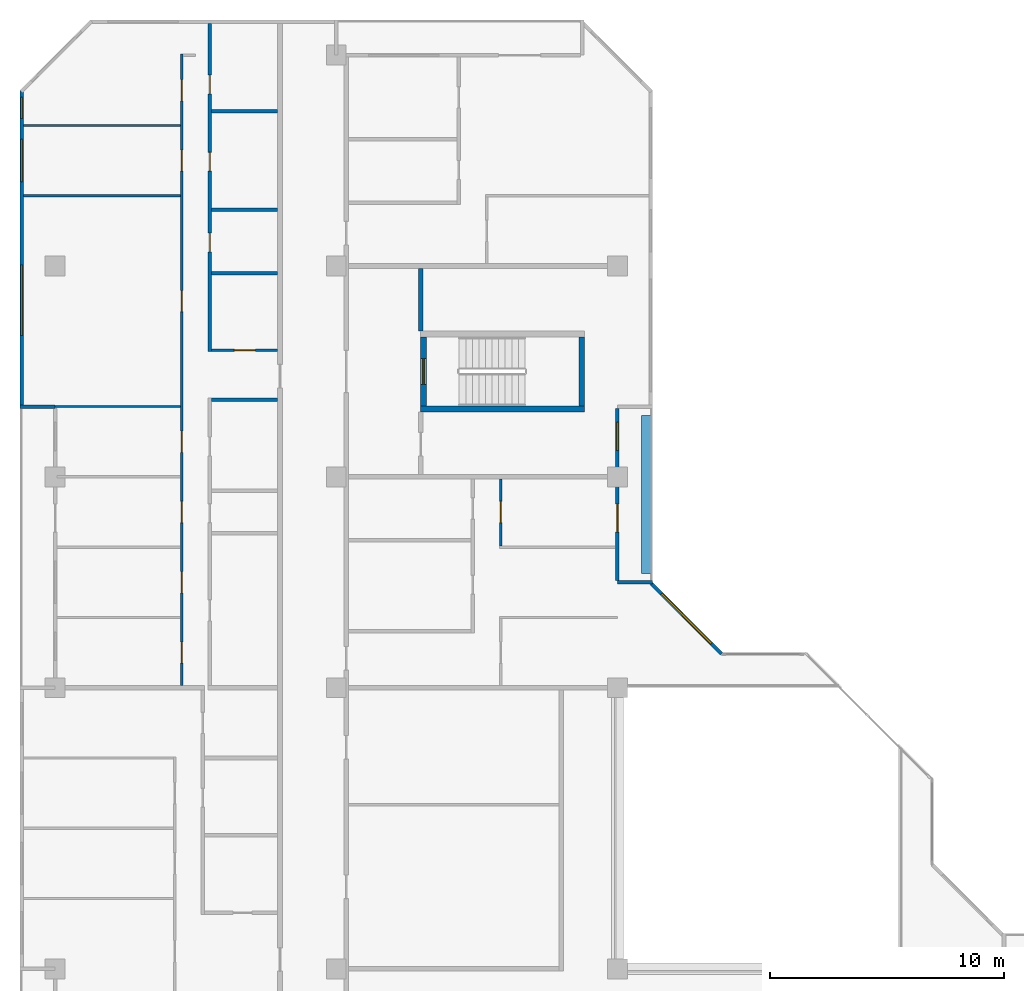
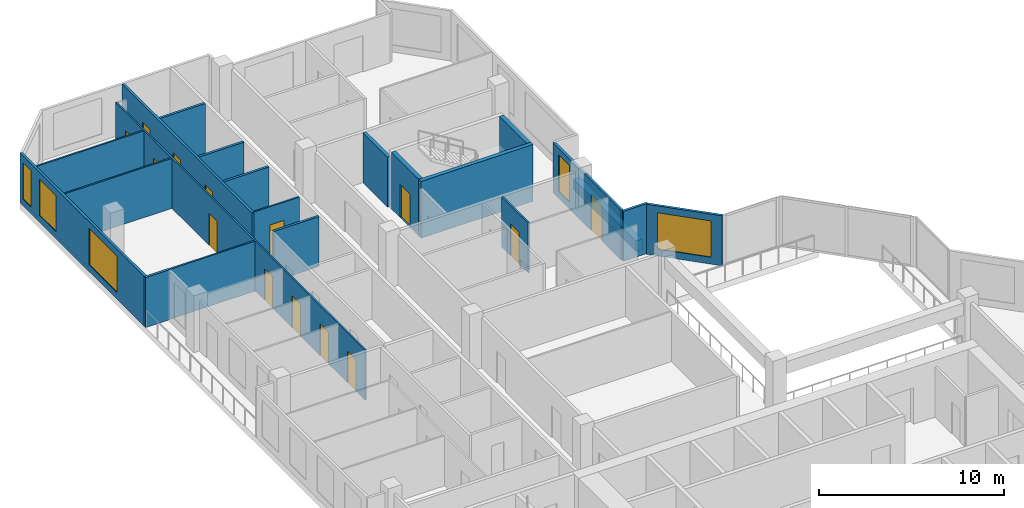
# One storey, part 10 of 15: 21 walls, 14 doors, 5 windows, 19 openings.
"""IFC4 building model written with IfcOpenShell, lengths in metres."""

from ifc_helpers import new_model, si_unit, direction, frame, frame_2d, origin, place, context, subcontext, project, spatial, rectangle, extrude, material, layer, layer_set, type_object, element, fill, save


model = new_model("IFC4")

# Units and contexts
model_context = context("Model", 3, precision=1e-05, world=origin(), true_north=direction((0.0, 1.0)))
body_context = subcontext(model_context, "Body", "Model", "MODEL_VIEW")
ifc_project = project(units=[si_unit("LENGTHUNIT", "METRE"), si_unit("AREAUNIT", "SQUARE_METRE"), si_unit("VOLUMEUNIT", "CUBIC_METRE"), si_unit("PLANEANGLEUNIT", "RADIAN"), si_unit("MASSUNIT", "GRAM", prefix="KILO")], contexts=[model_context])

# Site, building, storey
site_placement = place(None, origin())
site = spatial("IfcSite", under=ifc_project, at=site_placement, CompositionType="ELEMENT")
building_placement = place(site_placement, origin())
building = spatial("IfcBuilding", under=site, at=building_placement, Name="Chenar Terraces", CompositionType="ELEMENT")
storey_placement = place(building_placement, frame((0.0, 0.0, 252.89990234375)))
storey = spatial("IfcBuildingStorey", under=building, at=storey_placement, Name="L60", CompositionType="ELEMENT", Elevation=252.89990234375)

# Wall
ifc_material_1 = material(Name="Concrete C60/75", Category="concrete")
ifc_layer_1 = layer(ifc_material_1, 0.25)
ifc_layer_set_1 = layer_set([ifc_layer_1], Name="Concrete C60/75")
wall_type_1 = type_object("IfcWallType", Name="Core wall 250 Concrete C60/75", PredefinedType="SHEAR", material=ifc_layer_set_1)
wall_1_placement = place(storey_placement, frame((15.60009765625, 47.89990234375, 0.0), z_axis=(0.0, 0.0, 1.0), x_axis=(1.0, 0.0, 0.0)))
element("IfcWall", 1, at=wall_1_placement, inside=storey, type_object=wall_type_1, Name="Core wall ST4_S L60", PredefinedType="SHEAR", context=body_context, shape_type="SweptSolid", body=[
    extrude(rectangle(XDim=7.0, YDim=0.25, at=frame_2d((3.5, 0.0))), origin(), (0.0, 0.0, 1.0), 3.75),
])

# Wall, opening, door
wall_2_placement = place(storey_placement, frame((15.72509765625, 48.02490234375, 0.0), z_axis=(0.0, 0.0, 1.0), x_axis=(0.0, 1.0, 0.0)))
wall_2 = element("IfcWall", 2, at=wall_2_placement, inside=storey, type_object=wall_type_1, Name="Core wall ST4_W L60", PredefinedType="SHEAR", context=body_context, shape_type="SweptSolid", body=[
    extrude(rectangle(XDim=2.9501953125, YDim=0.25, at=frame_2d((1.47509765625, 0.0))), origin(), (0.0, 0.0, 1.0), 3.75),
])
opening_1_placement = place(wall_2_placement, frame((0.925048828125, 0.0, 0.0)))
opening_1 = element("IfcOpeningElement", 3, at=opening_1_placement, cuts=wall_2, Name="Opening DL60-C9", PredefinedType="OPENING", context=body_context, shape_type="SweptSolid", body=[
    extrude(rectangle(XDim=1.10009765625, YDim=2.199951171875, at=frame_2d((0.550048828125, 1.10009765625))), frame((0.0, 0.135009765625, 0.0), z_axis=(0.0, -1.0, 0.0), x_axis=(1.0, 0.0, 0.0)), (0.0, 0.0, 1.0), 0.27001953125),
])
ifc_material_2 = material(Name="Steel-framed fire-resisting door leaf", Category="steel")
door_type_1 = type_object("IfcDoorType", Name="Stair fire door FD60 1100 x 2200", OperationType="SINGLE_SWING_LEFT", PredefinedType="DOOR", material=ifc_material_2)
door_1_placement = place(opening_1_placement, frame((1.10009765625, 0.0, 0.0), z_axis=(0.0, 0.0, 1.0), x_axis=(-1.0, 0.0, 0.0)))
door_1 = element("IfcDoor", 4, at=door_1_placement, inside=storey, type_object=door_type_1, Name="Stair door DL60-C9", OperationType="SINGLE_SWING_RIGHT", OverallHeight=2.199951171875, OverallWidth=1.10009765625, PredefinedType="DOOR", context=body_context, shape_type="SweptSolid", body=[
    extrude(rectangle(XDim=1.10009765625, YDim=2.199951171875, at=frame_2d((0.550048828125, 1.10009765625))), frame((0.0, 0.02490234375, 0.0), z_axis=(0.0, -1.0, 0.0), x_axis=(1.0, 0.0, 0.0)), (0.0, 0.0, 1.0), 0.050048828125),
])
fill(opening_1, door_1)

# Walls
wall_3_placement = place(storey_placement, frame((22.47509765625, 48.02490234375, 0.0), z_axis=(0.0, 0.0, 1.0), x_axis=(0.0, 1.0, 0.0)))
element("IfcWall", 5, at=wall_3_placement, inside=storey, type_object=wall_type_1, Name="Core wall ST4_E L60", PredefinedType="SHEAR", context=body_context, shape_type="SweptSolid", body=[
    extrude(rectangle(XDim=2.9501953125, YDim=0.25, at=frame_2d((1.47509765625, 0.0))), origin(), (0.0, 0.0, 1.0), 3.75),
])
ifc_material_3 = material(Name="Gypsum board on steel studs with fire boards", Category="steel")
ifc_layer_2 = layer(ifc_material_3, 0.199951171875)
ifc_layer_set_2 = layer_set([ifc_layer_2], Name="Gypsum board on steel studs with fire boards")
wall_type_2 = type_object("IfcWallType", Name="Corridor wall 200", PredefinedType="PARTITIONING", material=ifc_layer_set_2)
wall_4_placement = place(storey_placement, frame((15.60009765625, 51.22509765625, 0.0), z_axis=(0.0, 0.0, 1.0), x_axis=(0.0, 1.0, 0.0)))
element("IfcWall", 6, at=wall_4_placement, inside=storey, type_object=wall_type_2, Name="Partition L60-047", PredefinedType="PARTITIONING", context=body_context, shape_type="SweptSolid", body=[
    extrude(rectangle(XDim=2.6748046875, YDim=0.199951171875, at=frame_2d((1.33740234375, 0.0))), origin(), (0.0, 0.0, 1.0), 3.300048828125),
])

# Wall, openings, windows
ifc_material_4 = material(Name="Aluminium framed glazing", Category="aluminium")
ifc_layer_3 = layer(ifc_material_4, 0.14990234375)
ifc_layer_set_3 = layer_set([ifc_layer_3], Name="Aluminium framed glazing")
wall_type_3 = type_object("IfcWallType", Name="Glazed flush facade wall 150", PredefinedType="SOLIDWALL", material=ifc_layer_set_3)
wall_5_placement = place(storey_placement, frame((-1.425048828125, 61.5, 0.0), z_axis=(0.0, 0.0, 1.0), x_axis=(0.0, -1.0, 0.0)))
wall_5 = element("IfcWall", 7, at=wall_5_placement, inside=storey, type_object=wall_type_3, Name="Glazed flush facade wall", PredefinedType="SOLIDWALL", context=body_context, shape_type="SweptSolid", body=[
    extrude(rectangle(XDim=13.425048828125, YDim=0.14990234375, at=frame_2d((6.71240234375, 0.0))), origin(), (0.0, 0.0, 1.0), 3.300048828125),
])
opening_2_placement = place(wall_5_placement, frame((0.300048828125, 0.0, 0.449951171875)))
opening_2 = element("IfcOpeningElement", 8, at=opening_2_placement, cuts=wall_5, Name="Opening W90x240", PredefinedType="OPENING", context=body_context, shape_type="SweptSolid", body=[
    extrude(rectangle(XDim=0.89990234375, YDim=2.39990234375, at=frame_2d((0.449951171875, 1.199951171875))), frame((0.0, 0.0849609375, 0.0), z_axis=(0.0, -1.0, 0.0), x_axis=(1.0, 0.0, 0.0)), (0.0, 0.0, 1.0), 0.169921875),
])
opening_3_placement = place(wall_5_placement, frame((2.10009765625, 0.0, 0.449951171875)))
opening_3 = element("IfcOpeningElement", 9, at=opening_3_placement, cuts=wall_5, Name="Opening W180x240", PredefinedType="OPENING", context=body_context, shape_type="SweptSolid", body=[
    extrude(rectangle(XDim=1.800048828125, YDim=2.39990234375, at=frame_2d((0.89990234375, 1.199951171875))), frame((0.0, 0.0849609375, 0.0), z_axis=(0.0, -1.0, 0.0), x_axis=(1.0, 0.0, 0.0)), (0.0, 0.0, 1.0), 0.169921875),
])
opening_4_placement = place(wall_5_placement, frame((7.46240234375, 0.0, 0.449951171875)))
opening_4 = element("IfcOpeningElement", 10, at=opening_4_placement, cuts=wall_5, Name="Opening W300x240", PredefinedType="OPENING", context=body_context, shape_type="SweptSolid", body=[
    extrude(rectangle(XDim=3.0, YDim=2.39990234375, at=frame_2d((1.5, 1.199951171875))), frame((0.0, 0.0849609375, 0.0), z_axis=(0.0, -1.0, 0.0), x_axis=(1.0, 0.0, 0.0)), (0.0, 0.0, 1.0), 0.169921875),
])
ifc_material_5 = material(Name="Low emissivity double glazing, aluminium frame", Category="aluminium")
window_type_1 = type_object("IfcWindowType", Name="Fixed light 1800 x 2400", PartitioningType="SINGLE_PANEL", PredefinedType="WINDOW", material=ifc_material_5)
window_1_placement = place(opening_3_placement, origin())
window_1 = element("IfcWindow", 11, at=window_1_placement, inside=storey, type_object=window_type_1, Name="Window", OverallHeight=2.39990234375, OverallWidth=1.800048828125, PartitioningType="SINGLE_PANEL", PredefinedType="WINDOW", context=body_context, shape_type="SweptSolid", body=[
    extrude(rectangle(XDim=1.800048828125, YDim=2.39990234375, at=frame_2d((0.89990234375, 1.199951171875))), frame((0.0, 0.030029296875, 0.0), z_axis=(0.0, -1.0, 0.0), x_axis=(1.0, 0.0, 0.0)), (0.0, 0.0, 1.0), 0.06005859375),
])
fill(opening_3, window_1)
ifc_material_6 = material(Name="Low emissivity double glazing, aluminium frame", Category="aluminium")
window_type_2 = type_object("IfcWindowType", Name="Fixed light 3000 x 2400", PartitioningType="SINGLE_PANEL", PredefinedType="WINDOW", material=ifc_material_6)
window_2_placement = place(opening_4_placement, origin())
window_2 = element("IfcWindow", 12, at=window_2_placement, inside=storey, type_object=window_type_2, Name="Window", OverallHeight=2.39990234375, OverallWidth=3.0, PartitioningType="SINGLE_PANEL", PredefinedType="WINDOW", context=body_context, shape_type="SweptSolid", body=[
    extrude(rectangle(XDim=3.0, YDim=2.39990234375, at=frame_2d((1.5, 1.199951171875))), frame((0.0, 0.030029296875, 0.0), z_axis=(0.0, -1.0, 0.0), x_axis=(1.0, 0.0, 0.0)), (0.0, 0.0, 1.0), 0.06005859375),
])
fill(opening_4, window_2)
ifc_material_7 = material(Name="Low emissivity double glazing, aluminium frame", Category="aluminium")
window_type_3 = type_object("IfcWindowType", Name="Fixed light 900 x 2400", PartitioningType="SINGLE_PANEL", PredefinedType="WINDOW", material=ifc_material_7)
window_3_placement = place(opening_2_placement, origin())
window_3 = element("IfcWindow", 13, at=window_3_placement, inside=storey, type_object=window_type_3, Name="Window", OverallHeight=2.39990234375, OverallWidth=0.89990234375, PartitioningType="SINGLE_PANEL", PredefinedType="WINDOW", context=body_context, shape_type="SweptSolid", body=[
    extrude(rectangle(XDim=0.89990234375, YDim=2.39990234375, at=frame_2d((0.449951171875, 1.199951171875))), frame((0.0, 0.030029296875, 0.0), z_axis=(0.0, -1.0, 0.0), x_axis=(1.0, 0.0, 0.0)), (0.0, 0.0, 1.0), 0.06005859375),
])
fill(opening_2, window_3)

# Wall, openings, window, door
ifc_material_8 = material(Name="Aluminium framed glazing", Category="aluminium")
ifc_layer_4 = layer(ifc_material_8, 0.14990234375)
ifc_layer_set_4 = layer_set([ifc_layer_4], Name="Aluminium framed glazing")
wall_type_4 = type_object("IfcWallType", Name="Glazed loggia back wall 150", PredefinedType="SOLIDWALL", material=ifc_layer_set_4)
wall_6_placement = place(storey_placement, frame((24.0, 40.574951171875, 0.0), z_axis=(0.0, 0.0, 1.0), x_axis=(0.0, 1.0, 0.0)))
wall_6 = element("IfcWall", 14, at=wall_6_placement, inside=storey, type_object=wall_type_4, Name="Glazed loggia back wall", PredefinedType="SOLIDWALL", context=body_context, shape_type="SweptSolid", body=[
    extrude(rectangle(XDim=7.35009765625, YDim=0.14990234375, at=frame_2d((3.675048828125, 0.0))), origin(), (0.0, 0.0, 1.0), 3.300048828125),
])
opening_5_placement = place(wall_6_placement, frame((2.0625, 0.0, 0.0)))
opening_5 = element("IfcOpeningElement", 15, at=opening_5_placement, cuts=wall_6, Name="Opening DL60-G1", PredefinedType="OPENING", context=body_context, shape_type="SweptSolid", body=[
    extrude(rectangle(XDim=1.199951171875, YDim=2.39990234375, at=frame_2d((0.60009765625, 1.199951171875))), frame((0.0, 0.0849609375, 0.0), z_axis=(0.0, -1.0, 0.0), x_axis=(1.0, 0.0, 0.0)), (0.0, 0.0, 1.0), 0.169921875),
])
opening_6_placement = place(wall_6_placement, frame((5.550048828125, 0.0, 0.449951171875)))
opening_6 = element("IfcOpeningElement", 16, at=opening_6_placement, cuts=wall_6, Name="Opening W120x240", PredefinedType="OPENING", context=body_context, shape_type="SweptSolid", body=[
    extrude(rectangle(XDim=1.199951171875, YDim=2.39990234375, at=frame_2d((0.60009765625, 1.199951171875))), frame((0.0, 0.0849609375, 0.0), z_axis=(0.0, -1.0, 0.0), x_axis=(1.0, 0.0, 0.0)), (0.0, 0.0, 1.0), 0.169921875),
])
ifc_material_9 = material(Name="Low emissivity double glazing, aluminium frame", Category="aluminium")
window_type_4 = type_object("IfcWindowType", Name="Fixed light 1200 x 2400", PartitioningType="SINGLE_PANEL", PredefinedType="WINDOW", material=ifc_material_9)
window_4_placement = place(opening_6_placement, origin())
window_4 = element("IfcWindow", 17, at=window_4_placement, inside=storey, type_object=window_type_4, Name="Window", OverallHeight=2.39990234375, OverallWidth=1.199951171875, PartitioningType="SINGLE_PANEL", PredefinedType="WINDOW", context=body_context, shape_type="SweptSolid", body=[
    extrude(rectangle(XDim=1.199951171875, YDim=2.39990234375, at=frame_2d((0.60009765625, 1.199951171875))), frame((0.0, 0.030029296875, 0.0), z_axis=(0.0, -1.0, 0.0), x_axis=(1.0, 0.0, 0.0)), (0.0, 0.0, 1.0), 0.06005859375),
])
fill(opening_6, window_4)
ifc_material_10 = material(Name="Low emissivity double glazing, aluminium frame", Category="aluminium")
door_type_2 = type_object("IfcDoorType", Name="Loggia glazed double door 1200 x 2400", OperationType="DOUBLE_DOOR_SINGLE_SWING", PredefinedType="DOOR", material=ifc_material_10)
door_2_placement = place(opening_5_placement, frame((1.199951171875, 0.0, 0.0), z_axis=(0.0, 0.0, 1.0), x_axis=(-1.0, 0.0, 0.0)))
door_2 = element("IfcDoor", 18, at=door_2_placement, inside=storey, type_object=door_type_2, Name="Loggia glazed door", OperationType="DOUBLE_DOOR_SINGLE_SWING", OverallHeight=2.39990234375, OverallWidth=1.199951171875, PredefinedType="DOOR", context=body_context, shape_type="SweptSolid", body=[
    extrude(rectangle(XDim=1.199951171875, YDim=2.39990234375, at=frame_2d((0.60009765625, 1.199951171875))), frame((0.0, 0.02490234375, 0.0), z_axis=(0.0, -1.0, 0.0), x_axis=(1.0, 0.0, 0.0)), (0.0, 0.0, 1.0), 0.050048828125),
])
fill(opening_5, door_2)

# Walls
ifc_material_11 = material(Name="Gypsum board on steel studs", Category="steel")
ifc_layer_5 = layer(ifc_material_11, 0.10009765625)
ifc_layer_set_5 = layer_set([ifc_layer_5], Name="Gypsum board on steel studs")
wall_type_5 = type_object("IfcWallType", Name="Gypsum partition 100", PredefinedType="PARTITIONING", material=ifc_layer_set_5)
wall_7_placement = place(storey_placement, frame((-1.35107421875, 60.0, 0.0), z_axis=(0.0, 0.0, 1.0), x_axis=(1.0, 0.0, 0.0)))
element("IfcWall", 19, at=wall_7_placement, inside=storey, type_object=wall_type_5, Name="Partition L60-003", PredefinedType="PARTITIONING", context=body_context, shape_type="SweptSolid", body=[
    extrude(rectangle(XDim=6.701171875, YDim=0.10009765625, at=frame_2d((3.3505859375, 0.0))), origin(), (0.0, 0.0, 1.0), 3.300048828125),
])
wall_8_placement = place(storey_placement, frame((0.0, 48.0, 0.0), z_axis=(0.0, 0.0, 1.0), x_axis=(1.0, 0.0, 0.0)))
element("IfcWall", 20, at=wall_8_placement, inside=storey, type_object=wall_type_5, Name="Partition L60-006", PredefinedType="PARTITIONING", context=body_context, shape_type="SweptSolid", body=[
    extrude(rectangle(XDim=5.35009765625, YDim=0.10009765625, at=frame_2d((2.675048828125, 0.0))), origin(), (0.0, 0.0, 1.0), 3.300048828125),
])
wall_9_placement = place(storey_placement, frame((-1.35009765625, 57.0, 0.0), z_axis=(0.0, 0.0, 1.0), x_axis=(1.0, 0.0, 0.0)))
element("IfcWall", 21, at=wall_9_placement, inside=storey, type_object=wall_type_5, Name="Partition L60-007", PredefinedType="PARTITIONING", context=body_context, shape_type="SweptSolid", body=[
    extrude(rectangle(XDim=6.7001953125, YDim=0.10009765625, at=frame_2d((3.35009765625, 0.0))), origin(), (0.0, 0.0, 1.0), 3.300048828125),
])

# Wall, openings, doors
wall_10_placement = place(storey_placement, frame((5.39990234375, 36.10009765625, 0.0), z_axis=(0.0, 0.0, 1.0), x_axis=(0.0, 1.0, 0.0)))
wall_10 = element("IfcWall", 22, at=wall_10_placement, inside=storey, type_object=wall_type_5, Name="Partition L60-015", PredefinedType="PARTITIONING", context=body_context, shape_type="SweptSolid", body=[
    extrude(rectangle(XDim=26.949951171875, YDim=0.10009765625, at=frame_2d((13.47509765625, 0.0))), origin(), (0.0, 0.0, 1.0), 3.300048828125),
])
opening_7_placement = place(wall_10_placement, frame((0.949951171875, 0.0, 0.0)))
opening_7 = element("IfcOpeningElement", 23, at=opening_7_placement, cuts=wall_10, Name="Opening DL60-27", PredefinedType="OPENING", context=body_context, shape_type="SweptSolid", body=[
    extrude(rectangle(XDim=0.89990234375, YDim=2.10009765625, at=frame_2d((0.449951171875, 1.050048828125))), frame((0.0, 0.06005859375, 0.0), z_axis=(0.0, -1.0, 0.0), x_axis=(1.0, 0.0, 0.0)), (0.0, 0.0, 1.0), 0.1201171875),
])
opening_8_placement = place(wall_10_placement, frame((3.949951171875, 0.0, 0.0)))
opening_8 = element("IfcOpeningElement", 24, at=opening_8_placement, cuts=wall_10, Name="Opening DL60-28", PredefinedType="OPENING", context=body_context, shape_type="SweptSolid", body=[
    extrude(rectangle(XDim=0.89990234375, YDim=2.10009765625, at=frame_2d((0.449951171875, 1.050048828125))), frame((0.0, 0.06005859375, 0.0), z_axis=(0.0, -1.0, 0.0), x_axis=(1.0, 0.0, 0.0)), (0.0, 0.0, 1.0), 0.1201171875),
])
opening_9_placement = place(wall_10_placement, frame((6.949951171875, 0.0, 0.0)))
opening_9 = element("IfcOpeningElement", 25, at=opening_9_placement, cuts=wall_10, Name="Opening DL60-29", PredefinedType="OPENING", context=body_context, shape_type="SweptSolid", body=[
    extrude(rectangle(XDim=0.89990234375, YDim=2.10009765625, at=frame_2d((0.449951171875, 1.050048828125))), frame((0.0, 0.06005859375, 0.0), z_axis=(0.0, -1.0, 0.0), x_axis=(1.0, 0.0, 0.0)), (0.0, 0.0, 1.0), 0.1201171875),
])
opening_10_placement = place(wall_10_placement, frame((9.949951171875, 0.0, 0.0)))
opening_10 = element("IfcOpeningElement", 26, at=opening_10_placement, cuts=wall_10, Name="Opening DL60-30", PredefinedType="OPENING", context=body_context, shape_type="SweptSolid", body=[
    extrude(rectangle(XDim=0.89990234375, YDim=2.10009765625, at=frame_2d((0.449951171875, 1.050048828125))), frame((0.0, 0.06005859375, 0.0), z_axis=(0.0, -1.0, 0.0), x_axis=(1.0, 0.0, 0.0)), (0.0, 0.0, 1.0), 0.1201171875),
])
opening_11_placement = place(wall_10_placement, frame((21.949951171875, 0.0, 0.0)))
opening_11 = element("IfcOpeningElement", 27, at=opening_11_placement, cuts=wall_10, Name="Opening DL60-31", PredefinedType="OPENING", context=body_context, shape_type="SweptSolid", body=[
    extrude(rectangle(XDim=0.89990234375, YDim=2.10009765625, at=frame_2d((0.449951171875, 1.050048828125))), frame((0.0, 0.06005859375, 0.0), z_axis=(0.0, -1.0, 0.0), x_axis=(1.0, 0.0, 0.0)), (0.0, 0.0, 1.0), 0.1201171875),
])
opening_12_placement = place(wall_10_placement, frame((24.949951171875, 0.0, 0.0)))
opening_12 = element("IfcOpeningElement", 28, at=opening_12_placement, cuts=wall_10, Name="Opening DL60-32", PredefinedType="OPENING", context=body_context, shape_type="SweptSolid", body=[
    extrude(rectangle(XDim=0.89990234375, YDim=2.10009765625, at=frame_2d((0.449951171875, 1.050048828125))), frame((0.0, 0.06005859375, 0.0), z_axis=(0.0, -1.0, 0.0), x_axis=(1.0, 0.0, 0.0)), (0.0, 0.0, 1.0), 0.1201171875),
])
opening_13_placement = place(wall_10_placement, frame((15.949951171875, 0.0, 0.0)))
opening_13 = element("IfcOpeningElement", 29, at=opening_13_placement, cuts=wall_10, Name="Opening DL60-36", PredefinedType="OPENING", context=body_context, shape_type="SweptSolid", body=[
    extrude(rectangle(XDim=0.89990234375, YDim=2.10009765625, at=frame_2d((0.449951171875, 1.050048828125))), frame((0.0, 0.06005859375, 0.0), z_axis=(0.0, -1.0, 0.0), x_axis=(1.0, 0.0, 0.0)), (0.0, 0.0, 1.0), 0.1201171875),
])
ifc_material_12 = material(Name="Veneered timber door leaf", Category="wood")
door_type_3 = type_object("IfcDoorType", Name="Door 900 x 2100", OperationType="SINGLE_SWING_LEFT", PredefinedType="DOOR", material=ifc_material_12)
door_3_placement = place(opening_7_placement, origin())
door_3 = element("IfcDoor", 30, at=door_3_placement, inside=storey, type_object=door_type_3, Name="Door DL60-27", OperationType="SINGLE_SWING_RIGHT", OverallHeight=2.10009765625, OverallWidth=0.89990234375, PredefinedType="DOOR", context=body_context, shape_type="SweptSolid", body=[
    extrude(rectangle(XDim=0.89990234375, YDim=2.10009765625, at=frame_2d((0.449951171875, 1.050048828125))), frame((0.0, 0.02490234375, 0.0), z_axis=(0.0, -1.0, 0.0), x_axis=(1.0, 0.0, 0.0)), (0.0, 0.0, 1.0), 0.050048828125),
])
fill(opening_7, door_3)
door_4_placement = place(opening_8_placement, origin())
door_4 = element("IfcDoor", 31, at=door_4_placement, inside=storey, type_object=door_type_3, Name="Door DL60-28", OperationType="SINGLE_SWING_RIGHT", OverallHeight=2.10009765625, OverallWidth=0.89990234375, PredefinedType="DOOR", context=body_context, shape_type="SweptSolid", body=[
    extrude(rectangle(XDim=0.89990234375, YDim=2.10009765625, at=frame_2d((0.449951171875, 1.050048828125))), frame((0.0, 0.02490234375, 0.0), z_axis=(0.0, -1.0, 0.0), x_axis=(1.0, 0.0, 0.0)), (0.0, 0.0, 1.0), 0.050048828125),
])
fill(opening_8, door_4)
door_5_placement = place(opening_9_placement, origin())
door_5 = element("IfcDoor", 32, at=door_5_placement, inside=storey, type_object=door_type_3, Name="Door DL60-29", OperationType="SINGLE_SWING_RIGHT", OverallHeight=2.10009765625, OverallWidth=0.89990234375, PredefinedType="DOOR", context=body_context, shape_type="SweptSolid", body=[
    extrude(rectangle(XDim=0.89990234375, YDim=2.10009765625, at=frame_2d((0.449951171875, 1.050048828125))), frame((0.0, 0.02490234375, 0.0), z_axis=(0.0, -1.0, 0.0), x_axis=(1.0, 0.0, 0.0)), (0.0, 0.0, 1.0), 0.050048828125),
])
fill(opening_9, door_5)
door_6_placement = place(opening_10_placement, origin())
door_6 = element("IfcDoor", 33, at=door_6_placement, inside=storey, type_object=door_type_3, Name="Door DL60-30", OperationType="SINGLE_SWING_RIGHT", OverallHeight=2.10009765625, OverallWidth=0.89990234375, PredefinedType="DOOR", context=body_context, shape_type="SweptSolid", body=[
    extrude(rectangle(XDim=0.89990234375, YDim=2.10009765625, at=frame_2d((0.449951171875, 1.050048828125))), frame((0.0, 0.02490234375, 0.0), z_axis=(0.0, -1.0, 0.0), x_axis=(1.0, 0.0, 0.0)), (0.0, 0.0, 1.0), 0.050048828125),
])
fill(opening_10, door_6)
door_7_placement = place(opening_11_placement, origin())
door_7 = element("IfcDoor", 34, at=door_7_placement, inside=storey, type_object=door_type_3, Name="Door DL60-31", OperationType="SINGLE_SWING_RIGHT", OverallHeight=2.10009765625, OverallWidth=0.89990234375, PredefinedType="DOOR", context=body_context, shape_type="SweptSolid", body=[
    extrude(rectangle(XDim=0.89990234375, YDim=2.10009765625, at=frame_2d((0.449951171875, 1.050048828125))), frame((0.0, 0.02490234375, 0.0), z_axis=(0.0, -1.0, 0.0), x_axis=(1.0, 0.0, 0.0)), (0.0, 0.0, 1.0), 0.050048828125),
])
fill(opening_11, door_7)
door_8_placement = place(opening_12_placement, origin())
door_8 = element("IfcDoor", 35, at=door_8_placement, inside=storey, type_object=door_type_3, Name="Door DL60-32", OperationType="SINGLE_SWING_LEFT", OverallHeight=2.10009765625, OverallWidth=0.89990234375, PredefinedType="DOOR", context=body_context, shape_type="SweptSolid", body=[
    extrude(rectangle(XDim=0.89990234375, YDim=2.10009765625, at=frame_2d((0.449951171875, 1.050048828125))), frame((0.0, 0.02490234375, 0.0), z_axis=(0.0, -1.0, 0.0), x_axis=(1.0, 0.0, 0.0)), (0.0, 0.0, 1.0), 0.050048828125),
])
fill(opening_12, door_8)
door_9_placement = place(opening_13_placement, frame((0.89990234375, 0.0, 0.0), z_axis=(0.0, 0.0, 1.0), x_axis=(-1.0, 0.0, 0.0)))
door_9 = element("IfcDoor", 36, at=door_9_placement, inside=storey, type_object=door_type_3, Name="Door DL60-36", OperationType="SINGLE_SWING_LEFT", OverallHeight=2.10009765625, OverallWidth=0.89990234375, PredefinedType="DOOR", context=body_context, shape_type="SweptSolid", body=[
    extrude(rectangle(XDim=0.89990234375, YDim=2.10009765625, at=frame_2d((0.449951171875, 1.050048828125))), frame((0.0, 0.02490234375, 0.0), z_axis=(0.0, -1.0, 0.0), x_axis=(1.0, 0.0, 0.0)), (0.0, 0.0, 1.0), 0.050048828125),
])
fill(opening_13, door_9)

# Wall, opening, door
wall_11_placement = place(storey_placement, frame((6.675048828125, 50.39990234375, 0.0), z_axis=(0.0, 0.0, 1.0), x_axis=(1.0, 0.0, 0.0)))
wall_11 = element("IfcWall", 37, at=wall_11_placement, inside=storey, type_object=wall_type_5, Name="Partition L60-027", PredefinedType="PARTITIONING", context=body_context, shape_type="SweptSolid", body=[
    extrude(rectangle(XDim=2.824951171875, YDim=0.10009765625, at=frame_2d((1.41259765625, 0.0))), origin(), (0.0, 0.0, 1.0), 3.300048828125),
])
opening_14_placement = place(wall_11_placement, frame((0.97509765625, 0.0, 0.0)))
opening_14 = element("IfcOpeningElement", 38, at=opening_14_placement, cuts=wall_11, Name="Opening DL60-37", PredefinedType="OPENING", context=body_context, shape_type="SweptSolid", body=[
    extrude(rectangle(XDim=0.89990234375, YDim=2.10009765625, at=frame_2d((0.449951171875, 1.050048828125))), frame((0.0, 0.06005859375, 0.0), z_axis=(0.0, -1.0, 0.0), x_axis=(1.0, 0.0, 0.0)), (0.0, 0.0, 1.0), 0.1201171875),
])
door_10_placement = place(opening_14_placement, origin())
door_10 = element("IfcDoor", 39, at=door_10_placement, inside=storey, type_object=door_type_3, Name="Door DL60-37", OperationType="SINGLE_SWING_RIGHT", OverallHeight=2.10009765625, OverallWidth=0.89990234375, PredefinedType="DOOR", context=body_context, shape_type="SweptSolid", body=[
    extrude(rectangle(XDim=0.89990234375, YDim=2.10009765625, at=frame_2d((0.449951171875, 1.050048828125))), frame((0.0, 0.02490234375, 0.0), z_axis=(0.0, -1.0, 0.0), x_axis=(1.0, 0.0, 0.0)), (0.0, 0.0, 1.0), 0.050048828125),
])
fill(opening_14, door_10)

wall_12_placement = place(storey_placement, frame((19.02490234375, 42.050048828125, 0.0), z_axis=(0.0, 0.0, 1.0), x_axis=(0.0, 1.0, 0.0)))
wall_12 = element("IfcWall", 40, at=wall_12_placement, inside=storey, type_object=wall_type_5, Name="Partition L60-055", PredefinedType="PARTITIONING", context=body_context, shape_type="SweptSolid", body=[
    extrude(rectangle(XDim=2.849853515625, YDim=0.10009765625, at=frame_2d((1.4248046875, 0.0))), origin(), (0.0, 0.0, 1.0), 3.300048828125),
])
opening_15_placement = place(wall_12_placement, frame((1.0, 0.0, 0.0)))
opening_15 = element("IfcOpeningElement", 41, at=opening_15_placement, cuts=wall_12, Name="Opening DL60-19", PredefinedType="OPENING", context=body_context, shape_type="SweptSolid", body=[
    extrude(rectangle(XDim=0.89990234375, YDim=2.10009765625, at=frame_2d((0.449951171875, 1.050048828125))), frame((0.0, 0.06005859375, 0.0), z_axis=(0.0, -1.0, 0.0), x_axis=(1.0, 0.0, 0.0)), (0.0, 0.0, 1.0), 0.1201171875),
])
door_11_placement = place(opening_15_placement, frame((0.89990234375, 0.0, 0.0), z_axis=(0.0, 0.0, 1.0), x_axis=(-1.0, 0.0, 0.0)))
door_11 = element("IfcDoor", 42, at=door_11_placement, inside=storey, type_object=door_type_3, Name="Door DL60-19", OperationType="SINGLE_SWING_LEFT", OverallHeight=2.10009765625, OverallWidth=0.89990234375, PredefinedType="DOOR", context=body_context, shape_type="SweptSolid", body=[
    extrude(rectangle(XDim=0.89990234375, YDim=2.10009765625, at=frame_2d((0.449951171875, 1.050048828125))), frame((0.0, 0.02490234375, 0.0), z_axis=(0.0, -1.0, 0.0), x_axis=(1.0, 0.0, 0.0)), (0.0, 0.0, 1.0), 0.050048828125),
])
fill(opening_15, door_11)

# Walls
ifc_material_13 = material(Name="Terracotta cladding on insulated backing", Category="masonry")
ifc_layer_6 = layer(ifc_material_13, 0.14990234375)
ifc_layer_set_6 = layer_set([ifc_layer_6], Name="Terracotta cladding on insulated backing")
wall_type_6 = type_object("IfcWallType", Name="Loggia return wall 150", PredefinedType="SOLIDWALL", material=ifc_layer_set_6)
for number, where, z_axis, x_axis, name in (
    (43, (25.5, 40.5, 0.0), (0.0, 0.0, 1.0), (-1.0, 0.0, 0.0), "Loggia return wall"),
    (44, (-1.5, 48.0, 0.0), (0.0, 0.0, 1.0), (1.0, 0.0, 0.0), "Loggia return wall"),
):
    element("IfcWall", number, at=place(storey_placement, frame(where, z_axis=z_axis, x_axis=x_axis)), inside=storey, type_object=wall_type_6, Name=name, PredefinedType="SOLIDWALL", context=body_context, shape_type="SweptSolid", body=[
        extrude(rectangle(XDim=1.5, YDim=0.14990234375, at=frame_2d((0.75, 0.0))), origin(), (0.0, 0.0, 1.0), 3.300048828125),
    ])

# Wall, opening, window
ifc_material_14 = material(Name="Terracotta cladding on insulated backing", Category="masonry")
ifc_layer_7 = layer(ifc_material_14, 0.14990234375)
ifc_layer_set_7 = layer_set([ifc_layer_7], Name="Terracotta cladding on insulated backing")
wall_type_7 = type_object("IfcWallType", Name="Terracotta rainscreen wall 150", PredefinedType="SOLIDWALL", material=ifc_layer_set_7)
wall_13_placement = place(storey_placement, frame((28.447021484375, 37.447021484375, 0.0), z_axis=(0.0, 0.0, 1.0), x_axis=(-0.707106781187, 0.707106781187, 0.0)))
wall_13 = element("IfcWall", 45, at=wall_13_placement, inside=storey, type_object=wall_type_7, Name="Terracotta rainscreen wall", PredefinedType="SOLIDWALL", context=body_context, shape_type="SweptSolid", body=[
    extrude(rectangle(XDim=4.24267578125, YDim=0.14990234375, at=frame_2d((2.121337890625, 0.0))), origin(), (0.0, 0.0, 1.0), 3.300048828125),
])
opening_16_placement = place(wall_13_placement, frame((0.621337890625, 0.0, 0.449951171875)))
opening_16 = element("IfcOpeningElement", 46, at=opening_16_placement, cuts=wall_13, Name="Opening W300x240", PredefinedType="OPENING", context=body_context, shape_type="SweptSolid", body=[
    extrude(rectangle(XDim=3.0, YDim=2.39990234375, at=frame_2d((1.5, 1.199951171875))), frame((0.0, 0.0849609375, 0.0), z_axis=(0.0, -1.0, 0.0), x_axis=(1.0, 0.0, 0.0)), (0.0, 0.0, 1.0), 0.169921875),
])
window_5_placement = place(opening_16_placement, origin())
window_5 = element("IfcWindow", 47, at=window_5_placement, inside=storey, type_object=window_type_2, Name="Window", OverallHeight=2.39990234375, OverallWidth=3.0, PartitioningType="SINGLE_PANEL", PredefinedType="WINDOW", context=body_context, shape_type="SweptSolid", body=[
    extrude(rectangle(XDim=3.0, YDim=2.39990234375, at=frame_2d((1.5, 1.199951171875))), frame((0.0, 0.030029296875, 0.0), z_axis=(0.0, -1.0, 0.0), x_axis=(1.0, 0.0, 0.0)), (0.0, 0.0, 1.0), 0.06005859375),
])
fill(opening_16, window_5)

# Wall
ifc_material_15 = material(Name="GRP planter trough")
ifc_layer_8 = layer(ifc_material_15, 0.39990234375)
ifc_layer_set_8 = layer_set([ifc_layer_8], Name="GRP planter trough")
wall_type_8 = type_object("IfcWallType", Name="Vertical greenery planter 400", PredefinedType="SOLIDWALL", material=ifc_layer_set_8)
wall_14_placement = place(storey_placement, frame((25.22900390625, 40.875, 0.0), z_axis=(0.0, 0.0, 1.0), x_axis=(0.0, 1.0, 0.0)))
element("IfcWall", 48, at=wall_14_placement, inside=storey, type_object=wall_type_8, Name="Vertical greenery planter", PredefinedType="SOLIDWALL", context=body_context, shape_type="SweptSolid", body=[
    extrude(rectangle(XDim=6.75, YDim=0.39990234375, at=frame_2d((3.375, 0.0))), origin(), (0.0, 0.0, 1.0), 0.7001953125),
])

# Wall, openings, doors
ifc_material_16 = material(Name="Moisture-resistant gypsum board on steel studs", Category="steel")
ifc_layer_9 = layer(ifc_material_16, 0.14990234375)
ifc_layer_set_9 = layer_set([ifc_layer_9], Name="Moisture-resistant gypsum board on steel studs")
wall_type_9 = type_object("IfcWallType", Name="Wet-room partition 150", PredefinedType="PARTITIONING", material=ifc_layer_set_9)
wall_15_placement = place(storey_placement, frame((6.60009765625, 50.35009765625, 0.0), z_axis=(0.0, 0.0, 1.0), x_axis=(0.0, 1.0, 0.0)))
wall_15 = element("IfcWall", 49, at=wall_15_placement, inside=storey, type_object=wall_type_9, Name="Partition L60-023", PredefinedType="PARTITIONING", context=body_context, shape_type="SweptSolid", body=[
    extrude(rectangle(XDim=14.0, YDim=0.14990234375, at=frame_2d((7.0, 0.0))), origin(), (0.0, 0.0, 1.0), 3.300048828125),
])
opening_17_placement = place(wall_15_placement, frame((11.0, 0.0, 0.0)))
opening_17 = element("IfcOpeningElement", 50, at=opening_17_placement, cuts=wall_15, Name="Opening DL60-35", PredefinedType="OPENING", context=body_context, shape_type="SweptSolid", body=[
    extrude(rectangle(XDim=0.800048828125, YDim=2.10009765625, at=frame_2d((0.39990234375, 1.050048828125))), frame((0.0, 0.0849609375, 0.0), z_axis=(0.0, -1.0, 0.0), x_axis=(1.0, 0.0, 0.0)), (0.0, 0.0, 1.0), 0.169921875),
])
opening_18_placement = place(wall_15_placement, frame((4.25, 0.0, 0.0)))
opening_18 = element("IfcOpeningElement", 51, at=opening_18_placement, cuts=wall_15, Name="Opening DL60-39", PredefinedType="OPENING", context=body_context, shape_type="SweptSolid", body=[
    extrude(rectangle(XDim=0.800048828125, YDim=2.10009765625, at=frame_2d((0.39990234375, 1.050048828125))), frame((0.0, 0.0849609375, 0.0), z_axis=(0.0, -1.0, 0.0), x_axis=(1.0, 0.0, 0.0)), (0.0, 0.0, 1.0), 0.169921875),
])
opening_19_placement = place(wall_15_placement, frame((7.699951171875, 0.0, 0.0)))
opening_19 = element("IfcOpeningElement", 52, at=opening_19_placement, cuts=wall_15, Name="Opening DL60-40", PredefinedType="OPENING", context=body_context, shape_type="SweptSolid", body=[
    extrude(rectangle(XDim=0.800048828125, YDim=2.10009765625, at=frame_2d((0.39990234375, 1.050048828125))), frame((0.0, 0.0849609375, 0.0), z_axis=(0.0, -1.0, 0.0), x_axis=(1.0, 0.0, 0.0)), (0.0, 0.0, 1.0), 0.169921875),
])
ifc_material_17 = material(Name="Veneered timber door leaf", Category="wood")
door_type_4 = type_object("IfcDoorType", Name="Door 800 x 2100", OperationType="SINGLE_SWING_LEFT", PredefinedType="DOOR", material=ifc_material_17)
door_12_placement = place(opening_17_placement, frame((0.800048828125, 0.0, 0.0), z_axis=(0.0, 0.0, 1.0), x_axis=(-1.0, 0.0, 0.0)))
door_12 = element("IfcDoor", 53, at=door_12_placement, inside=storey, type_object=door_type_4, Name="Door DL60-35", OperationType="SINGLE_SWING_RIGHT", OverallHeight=2.10009765625, OverallWidth=0.800048828125, PredefinedType="DOOR", context=body_context, shape_type="SweptSolid", body=[
    extrude(rectangle(XDim=0.800048828125, YDim=2.10009765625, at=frame_2d((0.39990234375, 1.050048828125))), frame((0.0, 0.02490234375, 0.0), z_axis=(0.0, -1.0, 0.0), x_axis=(1.0, 0.0, 0.0)), (0.0, 0.0, 1.0), 0.050048828125),
])
fill(opening_17, door_12)
door_13_placement = place(opening_18_placement, frame((0.800048828125, 0.0, 0.0), z_axis=(0.0, 0.0, 1.0), x_axis=(-1.0, 0.0, 0.0)))
door_13 = element("IfcDoor", 54, at=door_13_placement, inside=storey, type_object=door_type_4, Name="Door DL60-39", OperationType="SINGLE_SWING_RIGHT", OverallHeight=2.10009765625, OverallWidth=0.800048828125, PredefinedType="DOOR", context=body_context, shape_type="SweptSolid", body=[
    extrude(rectangle(XDim=0.800048828125, YDim=2.10009765625, at=frame_2d((0.39990234375, 1.050048828125))), frame((0.0, 0.02490234375, 0.0), z_axis=(0.0, -1.0, 0.0), x_axis=(1.0, 0.0, 0.0)), (0.0, 0.0, 1.0), 0.050048828125),
])
fill(opening_18, door_13)
door_14_placement = place(opening_19_placement, frame((0.800048828125, 0.0, 0.0), z_axis=(0.0, 0.0, 1.0), x_axis=(-1.0, 0.0, 0.0)))
door_14 = element("IfcDoor", 55, at=door_14_placement, inside=storey, type_object=door_type_4, Name="Door DL60-40", OperationType="SINGLE_SWING_RIGHT", OverallHeight=2.10009765625, OverallWidth=0.800048828125, PredefinedType="DOOR", context=body_context, shape_type="SweptSolid", body=[
    extrude(rectangle(XDim=0.800048828125, YDim=2.10009765625, at=frame_2d((0.39990234375, 1.050048828125))), frame((0.0, 0.02490234375, 0.0), z_axis=(0.0, -1.0, 0.0), x_axis=(1.0, 0.0, 0.0)), (0.0, 0.0, 1.0), 0.050048828125),
])
fill(opening_19, door_14)

# Walls
for number, where, z_axis, x_axis, name in (
    (56, (6.675048828125, 48.300048828125, 0.0), (0.0, 0.0, 1.0), (1.0, 0.0, 0.0), "Partition L60-026"),
    (57, (6.675048828125, 53.699951171875, 0.0), (0.0, 0.0, 1.0), (1.0, 0.0, 0.0), "Partition L60-028"),
    (58, (6.675048828125, 56.39990234375, 0.0), (0.0, 0.0, 1.0), (1.0, 0.0, 0.0), "Partition L60-029"),
    (59, (6.675048828125, 60.60009765625, 0.0), (0.0, 0.0, 1.0), (1.0, 0.0, 0.0), "Partition L60-030"),
):
    element("IfcWall", number, at=place(storey_placement, frame(where, z_axis=z_axis, x_axis=x_axis)), inside=storey, type_object=wall_type_9, Name=name, PredefinedType="PARTITIONING", context=body_context, shape_type="SweptSolid", body=[
        extrude(rectangle(XDim=2.824951171875, YDim=0.14990234375, at=frame_2d((1.41259765625, 0.0))), origin(), (0.0, 0.0, 1.0), 3.300048828125),
    ])

save(model, "model.ifc")
